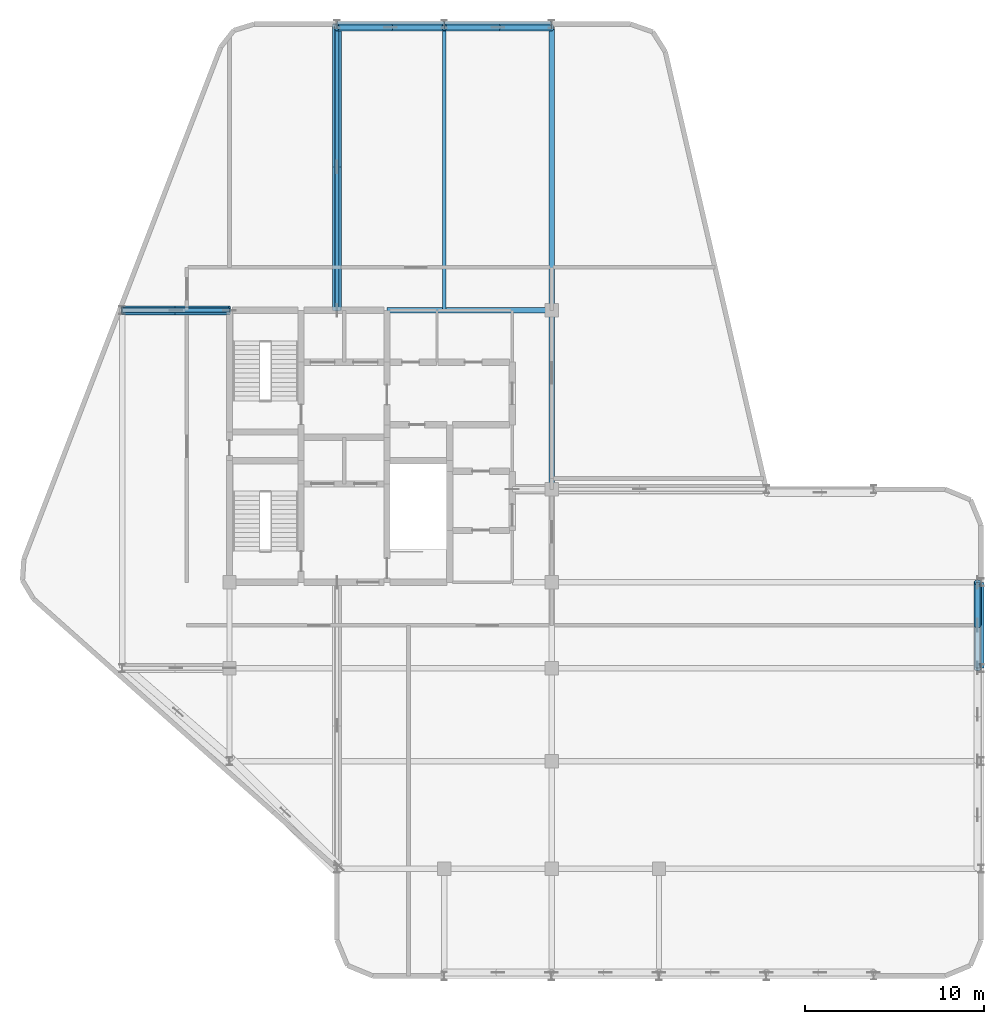
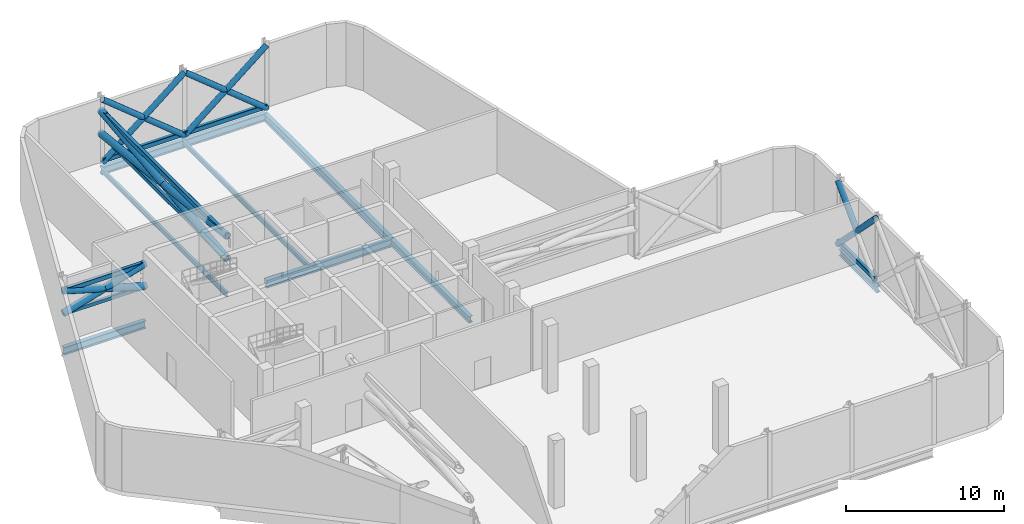
# One storey, part 5 of 12: 21 members, 9 beams.
"""IFC4 building model written with IfcOpenShell, lengths in metres."""

from ifc_helpers import new_model, si_unit, direction, frame, origin, origin_2d, place, context, subcontext, project, spatial, hollow_rectangle, hollow_circle, i_section, extrude, material, material_profile, profile_set, type_object, element, save


model = new_model("IFC4")

# Units and contexts
model_context = context("Model", 3, precision=1e-05, world=origin(), true_north=direction((0.0, 1.0)))
body_context = subcontext(model_context, "Body", "Model", "MODEL_VIEW")
ifc_project = project(units=[si_unit("LENGTHUNIT", "METRE"), si_unit("AREAUNIT", "SQUARE_METRE"), si_unit("VOLUMEUNIT", "CUBIC_METRE"), si_unit("PLANEANGLEUNIT", "RADIAN"), si_unit("MASSUNIT", "GRAM", prefix="KILO")], contexts=[model_context])

# Site, building, storey
site_placement = place(None, origin())
site = spatial("IfcSite", under=ifc_project, at=site_placement, CompositionType="ELEMENT")
building_placement = place(site_placement, origin())
building = spatial("IfcBuilding", under=site, at=building_placement, Name="Keshet Zoharim Tower", CompositionType="ELEMENT")
storey_placement = place(building_placement, frame((0.0, 0.0, 237.60009765625)))
storey = spatial("IfcBuildingStorey", under=building, at=storey_placement, Name="L59", CompositionType="ELEMENT", Elevation=237.60009765625)

# Beams
ifc_material = material(Name="Steel S355", Category="steel")
ifc_material_profile_1 = material_profile(ifc_material, i_section(OverallWidth=0.169921875, OverallDepth=0.360107421875, WebThickness=0.008056640625, FlangeThickness=0.0126953125, FilletRadius=0.01806640625, at=origin_2d()), Name="IPE360")
ifc_profile_set_1 = profile_set([ifc_material_profile_1], Name="Steel S355")
beam_type_1 = type_object("IfcBeamType", Name="BM-JST-IP360", PredefinedType="JOIST", material=ifc_profile_set_1)
for number, where, z_axis, x_axis, name in (
    (1, (21.0, 37.89990234375, -0.60009765625), (0.0, 1.0, 0.0), (-1.0, 0.0, 0.0), "L59 Secondary Floor Joist J-001"),
    (2, (27.0, 37.89990234375, -0.60009765625), (0.0, 1.0, 0.0), (-1.0, 0.0, 0.0), "L59 Secondary Floor Joist J-002"),
):
    element("IfcBeam", number, at=place(storey_placement, frame(where, z_axis=z_axis, x_axis=x_axis)), inside=storey, type_object=beam_type_1, Name=name, PredefinedType="JOIST", context=body_context, shape_type="SweptSolid", body=[
        extrude(i_section(OverallWidth=0.169921875, OverallDepth=0.360107421875, WebThickness=0.008056640625, FlangeThickness=0.0126953125, FilletRadius=0.01806640625, at=origin_2d()), origin(), (0.0, 0.0, 1.0), 16.0),
    ])
ifc_material_profile_2 = material_profile(ifc_material, i_section(OverallWidth=0.300048828125, OverallDepth=0.60009765625, WebThickness=0.015380859375, FlangeThickness=0.030029296875, FilletRadius=0.027099609375, at=origin_2d()), Name="HEB600")
ifc_profile_set_2 = profile_set([ifc_material_profile_2], Name="Steel S355")
beam_type_2 = type_object("IfcBeamType", Name="BM-LNG-HB600", PredefinedType="BEAM", material=ifc_profile_set_2)
beam_1_placement = place(storey_placement, frame((33.0, 37.89990234375, -0.72021484375), z_axis=(0.0, 1.0, 0.0), x_axis=(-1.0, 0.0, 0.0)))
element("IfcBeam", 3, at=beam_1_placement, inside=storey, type_object=beam_type_2, Name="L59 Primary Girder Y-011", PredefinedType="BEAM", context=body_context, shape_type="SweptSolid", body=[
    extrude(i_section(OverallWidth=0.300048828125, OverallDepth=0.60009765625, WebThickness=0.015380859375, FlangeThickness=0.030029296875, FilletRadius=0.027099609375, at=origin_2d()), origin(), (0.0, 0.0, 1.0), 16.0),
])
ifc_material_profile_3 = material_profile(ifc_material, i_section(OverallWidth=0.300048828125, OverallDepth=0.5, WebThickness=0.014404296875, FlangeThickness=0.028076171875, FilletRadius=0.027099609375, at=origin_2d()), Name="HEB500")
ifc_profile_set_3 = profile_set([ifc_material_profile_3], Name="Steel S355")
beam_type_3 = type_object("IfcBeamType", Name="BM-MED-HB500", PredefinedType="BEAM", material=ifc_profile_set_3)
beam_2_placement = place(storey_placement, frame((33.0, 27.89990234375, -0.670166015625), z_axis=(0.0, 1.0, 0.0), x_axis=(-1.0, 0.0, 0.0)))
element("IfcBeam", 4, at=beam_2_placement, inside=storey, type_object=beam_type_3, Name="L59 Primary Girder Y-010", PredefinedType="BEAM", context=body_context, shape_type="SweptSolid", body=[
    extrude(i_section(OverallWidth=0.300048828125, OverallDepth=0.5, WebThickness=0.014404296875, FlangeThickness=0.028076171875, FilletRadius=0.027099609375, at=origin_2d()), origin(), (0.0, 0.0, 1.0), 10.0),
])
ifc_material_profile_4 = material_profile(ifc_material, i_section(OverallWidth=0.300048828125, OverallDepth=0.60009765625, WebThickness=0.015380859375, FlangeThickness=0.030029296875, FilletRadius=0.027099609375, at=origin_2d()), Name="HEB600")
ifc_profile_set_4 = profile_set([ifc_material_profile_4], Name="Steel S355")
beam_type_4 = type_object("IfcBeamType", Name="BM-MED-HB600", PredefinedType="BEAM", material=ifc_profile_set_4)
beam_3_placement = place(storey_placement, frame((23.800048828125, 37.89990234375, -0.72021484375), z_axis=(1.0, 0.0, 0.0), x_axis=(0.0, 1.0, 0.0)))
element("IfcBeam", 5, at=beam_3_placement, inside=storey, type_object=beam_type_4, Name="L59 Primary Girder X-018", PredefinedType="BEAM", context=body_context, shape_type="SweptSolid", body=[
    extrude(i_section(OverallWidth=0.300048828125, OverallDepth=0.60009765625, WebThickness=0.015380859375, FlangeThickness=0.030029296875, FilletRadius=0.027099609375, at=origin_2d()), origin(), (0.0, 0.0, 1.0), 9.199951171875),
])
ifc_material_profile_5 = material_profile(ifc_material, i_section(OverallWidth=0.300048828125, OverallDepth=0.5, WebThickness=0.014404296875, FlangeThickness=0.028076171875, FilletRadius=0.027099609375, at=origin_2d()), Name="HEB500")
ifc_profile_set_5 = profile_set([ifc_material_profile_5], Name="Steel S355")
beam_type_5 = type_object("IfcBeamType", Name="BM-WEB-HB500", PredefinedType="BEAM", material=ifc_profile_set_5)
beam_4_placement = place(storey_placement, frame((57.0, 17.89990234375, -0.670166015625), z_axis=(0.0, 1.0, 0.0), x_axis=(-1.0, 0.0, 0.0)))
element("IfcBeam", 6, at=beam_4_placement, inside=storey, type_object=beam_type_5, Name="L59 Primary Girder Y-015", PredefinedType="BEAM", context=body_context, shape_type="SweptSolid", body=[
    extrude(i_section(OverallWidth=0.300048828125, OverallDepth=0.5, WebThickness=0.014404296875, FlangeThickness=0.028076171875, FilletRadius=0.027099609375, at=origin_2d()), origin(), (0.0, 0.0, 1.0), 4.800048828125),
])
ifc_material_profile_6 = material_profile(ifc_material, i_section(OverallWidth=0.300048828125, OverallDepth=0.60009765625, WebThickness=0.015380859375, FlangeThickness=0.030029296875, FilletRadius=0.027099609375, at=origin_2d()), Name="HEB600")
ifc_profile_set_6 = profile_set([ifc_material_profile_6], Name="Steel S355")
beam_type_6 = type_object("IfcBeamType", Name="BM-WEB-HB600", PredefinedType="BEAM", material=ifc_profile_set_6)
for number, where, z_axis, x_axis, name in (
    (7, (9.0, 37.89990234375, -0.72021484375), (1.0, 0.0, 0.0), (0.0, 1.0, 0.0), "L59 Primary Girder X-017"),
    (8, (21.0, 53.89990234375, -0.72021484375), (1.0, 0.0, 0.0), (0.0, 1.0, 0.0), "L59 Primary Girder X-019"),
    (9, (27.0, 53.89990234375, -0.72021484375), (1.0, 0.0, 0.0), (0.0, 1.0, 0.0), "L59 Primary Girder X-020"),
):
    element("IfcBeam", number, at=place(storey_placement, frame(where, z_axis=z_axis, x_axis=x_axis)), inside=storey, type_object=beam_type_6, Name=name, PredefinedType="BEAM", context=body_context, shape_type="SweptSolid", body=[
        extrude(i_section(OverallWidth=0.300048828125, OverallDepth=0.60009765625, WebThickness=0.015380859375, FlangeThickness=0.030029296875, FilletRadius=0.027099609375, at=origin_2d()), origin(), (0.0, 0.0, 1.0), 6.0),
    ])

# Members
ifc_material_profile_7 = material_profile(ifc_material, hollow_circle(Radius=0.203125, WallThickness=0.01611328125, at=origin_2d()), Name="CHS406x16")
ifc_profile_set_7 = profile_set([ifc_material_profile_7], Name="Steel S355")
member_type_1 = type_object("IfcMemberType", Name="MB-BELT-C406", PredefinedType="BRACE", material=ifc_profile_set_7)
member_1_placement = place(storey_placement, frame((56.81005859375, 22.699951171875, 0.0), z_axis=(0.0, -0.701251160614, 0.712914307429), x_axis=(1.0, 0.0, 0.0)))
element("IfcMember", 10, at=member_1_placement, inside=storey, type_object=member_type_1, Name="L59 Perimeter Belt Truss Continuous Diagonal A01", PredefinedType="BRACE", context=body_context, shape_type="SweptSolid", body=[
    extrude(hollow_circle(Radius=0.203125, WallThickness=0.01611328125, at=origin_2d()), origin(), (0.0, 0.0, 1.0), 6.844970703125),
])
member_2_placement = place(storey_placement, frame((56.81005859375, 20.300048828125, 2.43994140625), z_axis=(0.0, 0.701233032237, 0.712932138776), x_axis=(-1.0, 0.0, 0.0)))
element("IfcMember", 11, at=member_2_placement, inside=storey, type_object=member_type_1, Name="L59 Perimeter Belt Truss Split Diagonal B2-01", PredefinedType="BRACE", context=body_context, shape_type="SweptSolid", body=[
    extrude(hollow_circle(Radius=0.203125, WallThickness=0.01611328125, at=origin_2d()), origin(), (0.0, 0.0, 1.0), 3.42236328125),
])
member_3_placement = place(storey_placement, frame((21.0, 53.7099609375, 0.0), z_axis=(0.775804916015, 0.0, 0.630972845919), x_axis=(0.0, 1.0, 0.0)))
element("IfcMember", 12, at=member_3_placement, inside=storey, type_object=member_type_1, Name="L59 Perimeter Belt Truss Continuous Diagonal A10", PredefinedType="BRACE", context=body_context, shape_type="SweptSolid", body=[
    extrude(hollow_circle(Radius=0.203125, WallThickness=0.01611328125, at=origin_2d()), origin(), (0.0, 0.0, 1.0), 7.73388671875),
])
for number, where, z_axis, x_axis, name in (
    (13, (27.0, 53.7099609375, 0.0), (-0.775804916015, 0.0, 0.630972845919), (0.0, -1.0, 0.0), "L59 Perimeter Belt Truss Split Diagonal B1-10"),
    (14, (24.0, 53.7099609375, 2.43994140625), (-0.775804916015, 0.0, 0.630972845919), (0.0, -1.0, 0.0), "L59 Perimeter Belt Truss Split Diagonal B2-10"),
):
    element("IfcMember", number, at=place(storey_placement, frame(where, z_axis=z_axis, x_axis=x_axis)), inside=storey, type_object=member_type_1, Name=name, PredefinedType="BRACE", context=body_context, shape_type="SweptSolid", body=[
        extrude(hollow_circle(Radius=0.203125, WallThickness=0.01611328125, at=origin_2d()), origin(), (0.0, 0.0, 1.0), 3.866943359375),
    ])
member_4_placement = place(storey_placement, frame((27.0, 53.7099609375, 0.0), z_axis=(0.775804916015, 0.0, 0.630972845919), x_axis=(0.0, 1.0, 0.0)))
element("IfcMember", 15, at=member_4_placement, inside=storey, type_object=member_type_1, Name="L59 Perimeter Belt Truss Continuous Diagonal A11", PredefinedType="BRACE", context=body_context, shape_type="SweptSolid", body=[
    extrude(hollow_circle(Radius=0.203125, WallThickness=0.01611328125, at=origin_2d()), origin(), (0.0, 0.0, 1.0), 7.73388671875),
])
for number, where, z_axis, x_axis, name in (
    (16, (33.0, 53.7099609375, 0.0), (-0.775804916015, 0.0, 0.630972845919), (0.0, -1.0, 0.0), "L59 Perimeter Belt Truss Split Diagonal B1-11"),
    (17, (30.0, 53.7099609375, 2.43994140625), (-0.775804916015, 0.0, 0.630972845919), (0.0, -1.0, 0.0), "L59 Perimeter Belt Truss Split Diagonal B2-11"),
):
    element("IfcMember", number, at=place(storey_placement, frame(where, z_axis=z_axis, x_axis=x_axis)), inside=storey, type_object=member_type_1, Name=name, PredefinedType="BRACE", context=body_context, shape_type="SweptSolid", body=[
        extrude(hollow_circle(Radius=0.203125, WallThickness=0.01611328125, at=origin_2d()), origin(), (0.0, 0.0, 1.0), 3.866943359375),
    ])
ifc_material_profile_8 = material_profile(ifc_material, hollow_rectangle(XDim=0.25, YDim=0.35009765625, WallThickness=0.01416015625, InnerFilletRadius=0.013916015625, OuterFilletRadius=0.02099609375, at=origin_2d()), Name="RHS350x250x14.2")
ifc_profile_set_8 = profile_set([ifc_material_profile_8], Name="Steel S355")
member_type_2 = type_object("IfcMemberType", Name="MB-CHD-R350", PredefinedType="CHORD", material=ifc_profile_set_8)
member_5_placement = place(storey_placement, frame((56.81005859375, 22.699951171875, 0.199951171875), z_axis=(0.0, -1.0, 0.0), x_axis=(1.0, 0.0, 0.0)))
element("IfcMember", 18, at=member_5_placement, inside=storey, type_object=member_type_2, Name="L59 Perimeter Belt Truss Chord B01", PredefinedType="CHORD", context=body_context, shape_type="SweptSolid", body=[
    extrude(hollow_rectangle(XDim=0.25, YDim=0.35009765625, WallThickness=0.01416015625, InnerFilletRadius=0.013916015625, OuterFilletRadius=0.02099609375, at=origin_2d()), origin(), (0.0, 0.0, 1.0), 4.800048828125),
])
for number, where, z_axis, x_axis, name in (
    (19, (21.0, 53.7099609375, 0.199951171875), (1.0, 0.0, 0.0), (0.0, 1.0, 0.0), "L59 Perimeter Belt Truss Chord B10"),
    (20, (27.0, 53.7099609375, 0.199951171875), (1.0, 0.0, 0.0), (0.0, 1.0, 0.0), "L59 Perimeter Belt Truss Chord B11"),
):
    element("IfcMember", number, at=place(storey_placement, frame(where, z_axis=z_axis, x_axis=x_axis)), inside=storey, type_object=member_type_2, Name=name, PredefinedType="CHORD", context=body_context, shape_type="SweptSolid", body=[
        extrude(hollow_rectangle(XDim=0.25, YDim=0.35009765625, WallThickness=0.01416015625, InnerFilletRadius=0.013916015625, OuterFilletRadius=0.02099609375, at=origin_2d()), origin(), (0.0, 0.0, 1.0), 6.0),
    ])
ifc_material_profile_9 = material_profile(ifc_material, hollow_circle(Radius=0.25390625, WallThickness=0.02001953125, at=origin_2d()), Name="CHS508x20")
ifc_profile_set_9 = profile_set([ifc_material_profile_9], Name="Steel S355")
member_type_3 = type_object("IfcMemberType", Name="MB-OUTR-C508", PredefinedType="BRACE", material=ifc_profile_set_9)
member_6_placement = place(storey_placement, frame((15.0, 37.89990234375, 2.14990234375), z_axis=(-0.95913524504, 0.0, 0.282948019472), x_axis=(0.0, -1.0, 0.0)))
element("IfcMember", 21, at=member_6_placement, inside=storey, type_object=member_type_3, Name="L59 Core Outrigger Continuous Brace 1-W2", PredefinedType="BRACE", context=body_context, shape_type="SweptSolid", body=[
    extrude(hollow_circle(Radius=0.25390625, WallThickness=0.02001953125, at=origin_2d()), origin(), (0.0, 0.0, 1.0), 6.255615234375),
])
for number, where, z_axis, x_axis, name in (
    (22, (9.0, 37.89990234375, 2.14990234375), (0.95913524504, 0.0, 0.282948019472), (0.0, 1.0, 0.0), "L59 Core Outrigger Split Brace 2A-W2"),
    (23, (12.0, 37.89990234375, 3.034912109375), (0.95913524504, 0.0, 0.282948019472), (0.0, 1.0, 0.0), "L59 Core Outrigger Split Brace 2B-W2"),
):
    element("IfcMember", number, at=place(storey_placement, frame(where, z_axis=z_axis, x_axis=x_axis)), inside=storey, type_object=member_type_3, Name=name, PredefinedType="BRACE", context=body_context, shape_type="SweptSolid", body=[
        extrude(hollow_circle(Radius=0.25390625, WallThickness=0.02001953125, at=origin_2d()), origin(), (0.0, 0.0, 1.0), 3.1279296875),
    ])
member_7_placement = place(storey_placement, frame((21.0, 37.89990234375, 2.14990234375), z_axis=(0.0, 0.993936517636, 0.109955440565), x_axis=(-1.0, 0.0, 0.0)))
element("IfcMember", 24, at=member_7_placement, inside=storey, type_object=member_type_3, Name="L59 Core Outrigger Continuous Brace 1-N1", PredefinedType="BRACE", context=body_context, shape_type="SweptSolid", body=[
    extrude(hollow_circle(Radius=0.25390625, WallThickness=0.02001953125, at=origin_2d()), origin(), (0.0, 0.0, 1.0), 16.09765625),
])
for number, where, z_axis, x_axis, name in (
    (25, (21.0, 53.89990234375, 2.14990234375), (0.0, -0.993936517636, 0.109955440565), (1.0, 0.0, 0.0), "L59 Core Outrigger Split Brace 2A-N1"),
    (26, (21.0, 45.89990234375, 3.034912109375), (0.0, -0.993936517636, 0.109955440565), (1.0, 0.0, 0.0), "L59 Core Outrigger Split Brace 2B-N1"),
):
    element("IfcMember", number, at=place(storey_placement, frame(where, z_axis=z_axis, x_axis=x_axis)), inside=storey, type_object=member_type_3, Name=name, PredefinedType="BRACE", context=body_context, shape_type="SweptSolid", body=[
        extrude(hollow_circle(Radius=0.25390625, WallThickness=0.02001953125, at=origin_2d()), origin(), (0.0, 0.0, 1.0), 8.048828125),
    ])
ifc_material_profile_10 = material_profile(ifc_material, hollow_rectangle(XDim=0.199951171875, YDim=0.300048828125, WallThickness=0.012451171875, InnerFilletRadius=0.011962890625, OuterFilletRadius=0.01904296875, at=origin_2d()), Name="RHS300x200x12.5")
ifc_profile_set_10 = profile_set([ifc_material_profile_10], Name="Steel S355")
member_type_4 = type_object("IfcMemberType", Name="MB-OUTR-S300", PredefinedType="STRUT", material=ifc_profile_set_10)
member_8_placement = place(storey_placement, frame((15.0, 37.89990234375, 2.14990234375), z_axis=(-1.0, 0.0, 0.0), x_axis=(0.0, -1.0, 0.0)))
element("IfcMember", 27, at=member_8_placement, inside=storey, type_object=member_type_4, Name="L59 Core Outrigger Bottom Strut W2", PredefinedType="STRUT", context=body_context, shape_type="SweptSolid", body=[
    extrude(hollow_rectangle(XDim=0.199951171875, YDim=0.300048828125, WallThickness=0.012451171875, InnerFilletRadius=0.011962890625, OuterFilletRadius=0.01904296875, at=origin_2d()), origin(), (0.0, 0.0, 1.0), 6.0),
])
member_9_placement = place(storey_placement, frame((21.0, 37.89990234375, 2.14990234375), z_axis=(0.0, 1.0, 0.0), x_axis=(-1.0, 0.0, 0.0)))
element("IfcMember", 28, at=member_9_placement, inside=storey, type_object=member_type_4, Name="L59 Core Outrigger Bottom Strut N1", PredefinedType="STRUT", context=body_context, shape_type="SweptSolid", body=[
    extrude(hollow_rectangle(XDim=0.199951171875, YDim=0.300048828125, WallThickness=0.012451171875, InnerFilletRadius=0.011962890625, OuterFilletRadius=0.01904296875, at=origin_2d()), origin(), (0.0, 0.0, 1.0), 16.0),
])
ifc_material_profile_11 = material_profile(ifc_material, hollow_rectangle(XDim=0.25, YDim=0.35009765625, WallThickness=0.01416015625, InnerFilletRadius=0.013916015625, OuterFilletRadius=0.02099609375, at=origin_2d()), Name="RHS350x250x14.2")
ifc_profile_set_11 = profile_set([ifc_material_profile_11], Name="Steel S355")
member_type_5 = type_object("IfcMemberType", Name="MB-OUTR-T350", PredefinedType="CHORD", material=ifc_profile_set_11)
member_10_placement = place(storey_placement, frame((15.0, 37.89990234375, 3.919921875), z_axis=(-1.0, 0.0, 0.0), x_axis=(0.0, -1.0, 0.0)))
element("IfcMember", 29, at=member_10_placement, inside=storey, type_object=member_type_5, Name="L59 Core Outrigger Top Chord W2", PredefinedType="CHORD", context=body_context, shape_type="SweptSolid", body=[
    extrude(hollow_rectangle(XDim=0.25, YDim=0.35009765625, WallThickness=0.01416015625, InnerFilletRadius=0.013916015625, OuterFilletRadius=0.02099609375, at=origin_2d()), origin(), (0.0, 0.0, 1.0), 6.0),
])
member_11_placement = place(storey_placement, frame((21.0, 37.89990234375, 3.919921875), z_axis=(0.0, 1.0, 0.0), x_axis=(-1.0, 0.0, 0.0)))
element("IfcMember", 30, at=member_11_placement, inside=storey, type_object=member_type_5, Name="L59 Core Outrigger Top Chord N1", PredefinedType="CHORD", context=body_context, shape_type="SweptSolid", body=[
    extrude(hollow_rectangle(XDim=0.25, YDim=0.35009765625, WallThickness=0.01416015625, InnerFilletRadius=0.013916015625, OuterFilletRadius=0.02099609375, at=origin_2d()), origin(), (0.0, 0.0, 1.0), 16.0),
])

save(model, "model.ifc")
